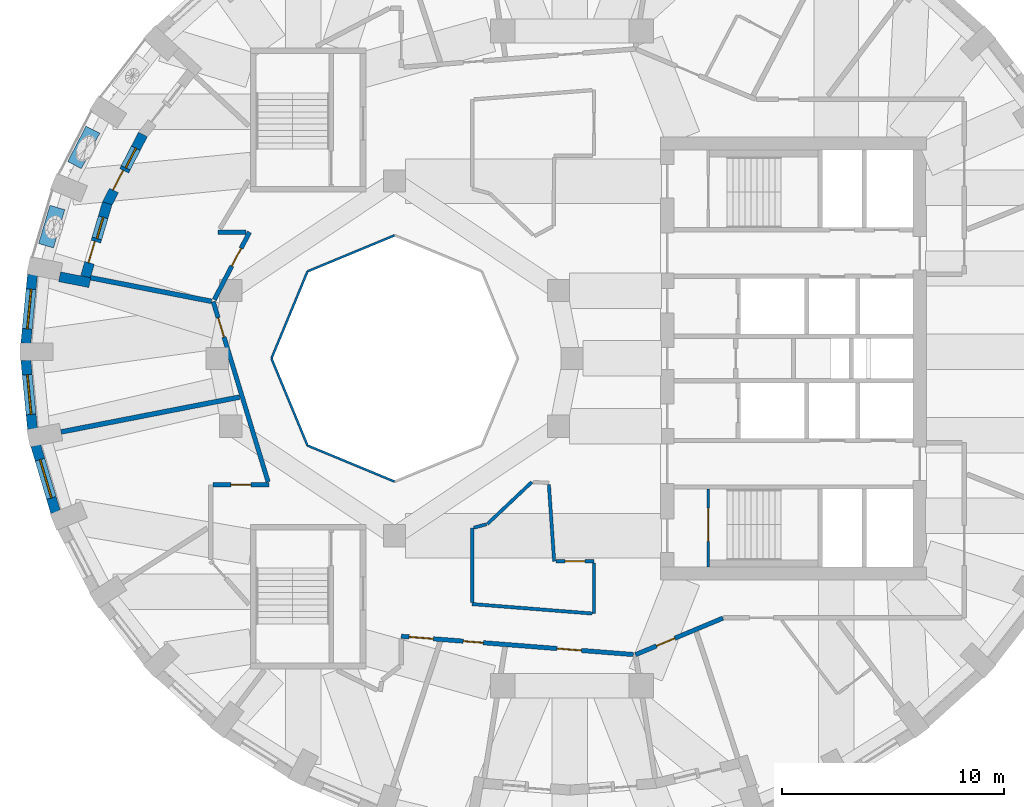
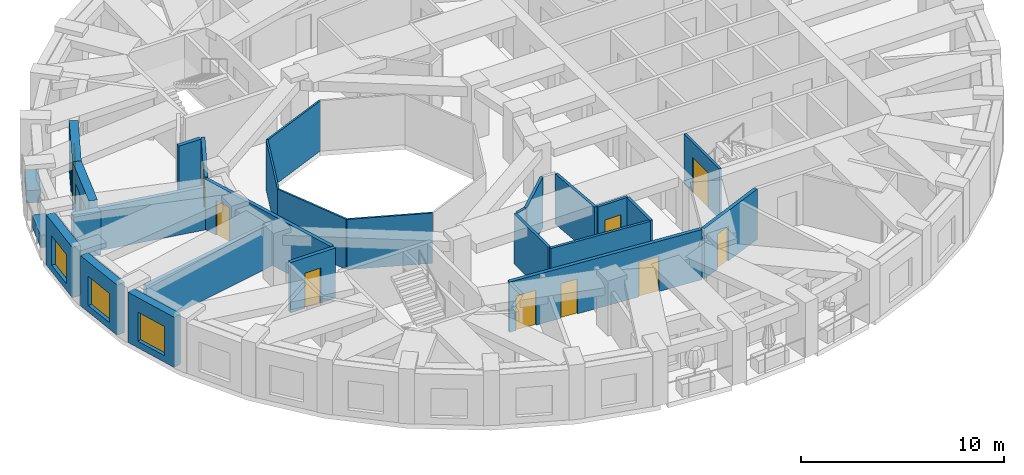
# One storey, part 4 of 12: 28 walls, 11 doors, 5 windows, 16 openings.
"""IFC4 building model written with IfcOpenShell, lengths in metres."""

from ifc_helpers import new_model, si_unit, direction, frame, frame_2d, origin, place, context, subcontext, project, spatial, rectangle, extrude, material, layer, layer_set, constituent, constituent_set, type_object, element, fill, save


model = new_model("IFC4")

# Units and contexts
model_context = context("Model", 3, precision=1e-05, world=origin(), true_north=direction((0.0, 1.0)))
body_context = subcontext(model_context, "Body", "Model", "MODEL_VIEW")
ifc_project = project(units=[si_unit("LENGTHUNIT", "METRE"), si_unit("AREAUNIT", "SQUARE_METRE"), si_unit("VOLUMEUNIT", "CUBIC_METRE"), si_unit("PLANEANGLEUNIT", "RADIAN"), si_unit("MASSUNIT", "GRAM", prefix="KILO")], contexts=[model_context])

# Site, building, storey
site_placement = place(None, origin())
site = spatial("IfcSite", under=ifc_project, at=site_placement, CompositionType="ELEMENT")
building_placement = place(site_placement, origin())
building = spatial("IfcBuilding", under=site, at=building_placement, Name="Taillehof Tower", CompositionType="ELEMENT")
storey_placement = place(building_placement, frame((0.0, 0.0, 243.199951171875)))
storey = spatial("IfcBuildingStorey", under=building, at=storey_placement, Name="L69", CompositionType="ELEMENT", Elevation=243.199951171875)

# Walls
ifc_material_1 = material(Name="Fire-resisting glass in steel frame", Category="steel")
ifc_layer_1 = layer(ifc_material_1, 0.10009765625)
ifc_layer_set_1 = layer_set([ifc_layer_1], Name="Atrium fire-resisting screen EI 60 100")
wall_type_1 = type_object("IfcWallType", Name="Atrium fire-resisting screen EI 60 100", PredefinedType="PARTITIONING", material=ifc_layer_set_1)
for number, where, z_axis, x_axis, name in (
    (1, (-8.0, -5.55419921875, 0.0), (0.0, 0.0, 1.0), (-0.923860025149, 0.382730523909, 0.0), "Atrium screen"),
    (2, (-11.92724609375, -3.92724609375, 0.0), (0.0, 0.0, 1.0), (-0.382730523909, 0.923860025149, 0.0), "Atrium screen"),
    (3, (-13.55419921875, 0.0, 0.0), (0.0, 0.0, 1.0), (0.382730523909, 0.923860025149, 0.0), "Atrium screen"),
    (4, (-11.92724609375, 3.92724609375, 0.0), (0.0, 0.0, 1.0), (0.923860025149, 0.382730523909, 0.0), "Atrium screen"),
):
    element("IfcWall", number, at=place(storey_placement, frame(where, z_axis=z_axis, x_axis=x_axis)), inside=storey, type_object=wall_type_1, Name=name, PredefinedType="PARTITIONING", context=body_context, shape_type="SweptSolid", body=[
        extrude(rectangle(XDim=4.2509765625, YDim=0.10009765625, at=frame_2d((2.12548828125, 0.0))), origin(), (0.0, 0.0, 1.0), 3.02001953125),
    ])

# Wall, opening, window
ifc_material_2 = material(Name="Brick masonry", Category="masonry")
ifc_layer_2 = layer(ifc_material_2, 0.449951171875)
ifc_layer_set_2 = layer_set([ifc_layer_2], Name="Brick infill wall 450")
wall_type_2 = type_object("IfcWallType", Name="Brick infill wall 450", PredefinedType="SOLIDWALL", material=ifc_layer_set_2)
wall_1_placement = place(storey_placement, frame((-24.335693359375, 3.77978515625, 0.0), z_axis=(0.0, 0.0, 1.0), x_axis=(-0.096740086873, -0.995309678237, 0.0)))
wall_1 = element("IfcWall", 5, at=wall_1_placement, inside=storey, type_object=wall_type_2, Name="Brick wall L69 bay 18", PredefinedType="SOLIDWALL", context=body_context, shape_type="SweptSolid", body=[
    extrude(rectangle(XDim=3.1142578125, YDim=0.449951171875, at=frame_2d((1.55712890625, 0.0))), origin(), (0.0, 0.0, 1.0), 3.02001953125),
])
opening_1_placement = place(wall_1_placement, frame((0.6572265625, 0.0, 0.39990234375)))
opening_1 = element("IfcOpeningElement", 6, at=opening_1_placement, cuts=wall_1, Name="Opening W4", PredefinedType="OPENING", context=body_context, shape_type="SweptSolid", body=[
    extrude(rectangle(XDim=1.800048828125, YDim=1.75, at=frame_2d((0.89990234375, 0.875))), frame((0.0, 0.23486328125, 0.0), z_axis=(0.0, -1.0, 0.0), x_axis=(1.0, 0.0, 0.0)), (0.0, 0.0, 1.0), 0.469970703125),
])
ifc_material_3 = material(Name="Aluminium window frame with clear double glazing", Category="aluminium")
window_type_1 = type_object("IfcWindowType", Name="Deep-set window 1800x1750", PartitioningType="SINGLE_PANEL", PredefinedType="WINDOW", material=ifc_material_3)
window_1_placement = place(opening_1_placement, origin())
window_1 = element("IfcWindow", 7, at=window_1_placement, inside=storey, type_object=window_type_1, Name="W4", OverallHeight=1.75, OverallWidth=1.800048828125, PartitioningType="SINGLE_PANEL", PredefinedType="WINDOW", context=body_context, shape_type="SweptSolid", body=[
    extrude(rectangle(XDim=1.800048828125, YDim=1.75, at=frame_2d((0.89990234375, 0.875))), frame((0.0, 0.034912109375, 0.0), z_axis=(0.0, -1.0, 0.0), x_axis=(1.0, 0.0, 0.0)), (0.0, 0.0, 1.0), 0.06005859375),
])
fill(opening_1, window_1)

wall_2_placement = place(storey_placement, frame((-24.636962890625, -0.080078125, 0.0), z_axis=(0.0, 0.0, 1.0), x_axis=(0.09673253904, -0.995310411827, 0.0)))
wall_2 = element("IfcWall", 8, at=wall_2_placement, inside=storey, type_object=wall_type_2, Name="Brick wall L69 bay 19", PredefinedType="SOLIDWALL", context=body_context, shape_type="SweptSolid", body=[
    extrude(rectangle(XDim=3.114501953125, YDim=0.449951171875, at=frame_2d((1.55712890625, 0.0))), origin(), (0.0, 0.0, 1.0), 3.02001953125),
])
opening_2_placement = place(wall_2_placement, frame((0.6572265625, 0.0, 0.39990234375)))
opening_2 = element("IfcOpeningElement", 9, at=opening_2_placement, cuts=wall_2, Name="Opening W4", PredefinedType="OPENING", context=body_context, shape_type="SweptSolid", body=[
    extrude(rectangle(XDim=1.800048828125, YDim=1.75, at=frame_2d((0.89990234375, 0.875))), frame((0.0, 0.23486328125, 0.0), z_axis=(0.0, -1.0, 0.0), x_axis=(1.0, 0.0, 0.0)), (0.0, 0.0, 1.0), 0.469970703125),
])
window_2_placement = place(opening_2_placement, origin())
window_2 = element("IfcWindow", 10, at=window_2_placement, inside=storey, type_object=window_type_1, Name="W4", OverallHeight=1.75, OverallWidth=1.800048828125, PartitioningType="SINGLE_PANEL", PredefinedType="WINDOW", context=body_context, shape_type="SweptSolid", body=[
    extrude(rectangle(XDim=1.800048828125, YDim=1.75, at=frame_2d((0.89990234375, 0.875))), frame((0.0, 0.034912109375, 0.0), z_axis=(0.0, -1.0, 0.0), x_axis=(1.0, 0.0, 0.0)), (0.0, 0.0, 1.0), 0.06005859375),
])
fill(opening_2, window_2)

wall_3_placement = place(storey_placement, frame((-24.18994140625, -3.92578125, 0.0), z_axis=(0.0, 0.0, 1.0), x_axis=(0.285263800865, -0.958449040855, 0.0)))
wall_3 = element("IfcWall", 11, at=wall_3_placement, inside=storey, type_object=wall_type_2, Name="Brick wall L69 bay 20", PredefinedType="SOLIDWALL", context=body_context, shape_type="SweptSolid", body=[
    extrude(rectangle(XDim=3.13916015625, YDim=0.449951171875, at=frame_2d((1.569580078125, 0.0))), origin(), (0.0, 0.0, 1.0), 3.02001953125),
])
opening_3_placement = place(wall_3_placement, frame((0.669677734375, 0.0, 0.39990234375)))
opening_3 = element("IfcOpeningElement", 12, at=opening_3_placement, cuts=wall_3, Name="Opening W4", PredefinedType="OPENING", context=body_context, shape_type="SweptSolid", body=[
    extrude(rectangle(XDim=1.800048828125, YDim=1.75, at=frame_2d((0.89990234375, 0.875))), frame((0.0, 0.23486328125, 0.0), z_axis=(0.0, -1.0, 0.0), x_axis=(1.0, 0.0, 0.0)), (0.0, 0.0, 1.0), 0.469970703125),
])
window_3_placement = place(opening_3_placement, origin())
window_3 = element("IfcWindow", 13, at=window_3_placement, inside=storey, type_object=window_type_1, Name="W4", OverallHeight=1.75, OverallWidth=1.800048828125, PartitioningType="SINGLE_PANEL", PredefinedType="WINDOW", context=body_context, shape_type="SweptSolid", body=[
    extrude(rectangle(XDim=1.800048828125, YDim=1.75, at=frame_2d((0.89990234375, 0.875))), frame((0.0, 0.034912109375, 0.0), z_axis=(0.0, -1.0, 0.0), x_axis=(1.0, 0.0, 0.0)), (0.0, 0.0, 1.0), 0.06005859375),
])
fill(opening_3, window_3)

# Wall
wall_4_placement = place(storey_placement, frame((-23.11376953125, 3.685302734375, 0.0), z_axis=(0.0, 0.0, 1.0), x_axis=(0.981468844755, -0.191621780535, 0.0)))
element("IfcWall", 14, at=wall_4_placement, inside=storey, type_object=wall_type_2, Name="Brick reveal L69 pocket 4", PredefinedType="SOLIDWALL", context=body_context, shape_type="SweptSolid", body=[
    extrude(rectangle(XDim=1.39013671875, YDim=0.449951171875, at=frame_2d((0.695068359375, 0.0))), origin(), (0.0, 0.0, 1.0), 2.570068359375),
])

# Wall, openings, door, window
wall_5_placement = place(storey_placement, frame((-19.355224609375, 10.104248046875, 0.0), z_axis=(0.0, 0.0, 1.0), x_axis=(-0.458852093952, -0.888512665006, 0.0)))
wall_5 = element("IfcWall", 15, at=wall_5_placement, inside=storey, type_object=wall_type_2, Name="Brick wall L69 pocket bay 16", PredefinedType="SOLIDWALL", context=body_context, shape_type="SweptSolid", body=[
    extrude(rectangle(XDim=3.537841796875, YDim=0.449951171875, at=frame_2d((1.76904296875, 0.0))), origin(), (0.0, 0.0, 1.0), 3.02001953125),
])
opening_4_placement = place(wall_5_placement, frame((0.69384765625, 0.0, 0.39990234375)))
opening_4 = element("IfcOpeningElement", 16, at=opening_4_placement, cuts=wall_5, Name="Opening W5", PredefinedType="OPENING", context=body_context, shape_type="SweptSolid", body=[
    extrude(rectangle(XDim=1.0, YDim=1.75, at=frame_2d((0.5, 0.875))), frame((0.0, 0.23486328125, 0.0), z_axis=(0.0, -1.0, 0.0), x_axis=(1.0, 0.0, 0.0)), (0.0, 0.0, 1.0), 0.469970703125),
])
opening_5_placement = place(wall_5_placement, frame((1.84375, 0.0, 0.0)))
opening_5 = element("IfcOpeningElement", 17, at=opening_5_placement, cuts=wall_5, Name="Opening D6995", PredefinedType="OPENING", context=body_context, shape_type="SweptSolid", body=[
    extrude(rectangle(XDim=1.0, YDim=2.14990234375, at=frame_2d((0.5, 1.074951171875))), frame((0.0, 0.23486328125, 0.0), z_axis=(0.0, -1.0, 0.0), x_axis=(1.0, 0.0, 0.0)), (0.0, 0.0, 1.0), 0.469970703125),
])
ifc_material_4 = material(Name="Aluminium door frame with clear double glazing", Category="aluminium")
door_type_1 = type_object("IfcDoorType", Name="Balcony door 1000x2150", OperationType="SINGLE_SWING_RIGHT", PredefinedType="DOOR", material=ifc_material_4)
door_1_placement = place(opening_5_placement, frame((1.0, 0.0, 0.0), z_axis=(0.0, 0.0, 1.0), x_axis=(-1.0, 0.0, 0.0)))
door_1 = element("IfcDoor", 18, at=door_1_placement, inside=storey, type_object=door_type_1, Name="Balcony door L69 bay 16", OperationType="SINGLE_SWING_LEFT", OverallHeight=2.14990234375, OverallWidth=1.0, PredefinedType="DOOR", context=body_context, shape_type="SweptSolid", body=[
    extrude(rectangle(XDim=1.0, YDim=2.14990234375, at=frame_2d((0.5, 1.074951171875))), frame((0.0, 0.0751953125, 0.0), z_axis=(0.0, -1.0, 0.0), x_axis=(1.0, 0.0, 0.0)), (0.0, 0.0, 1.0), 0.050048828125),
])
fill(opening_5, door_1)
ifc_material_5 = material(Name="Aluminium window frame with clear double glazing", Category="aluminium")
window_type_2 = type_object("IfcWindowType", Name="Fixed window 1000x1750", PartitioningType="SINGLE_PANEL", PredefinedType="WINDOW", material=ifc_material_5)
window_4_placement = place(opening_4_placement, origin())
window_4 = element("IfcWindow", 19, at=window_4_placement, inside=storey, type_object=window_type_2, Name="W5", OverallHeight=1.75, OverallWidth=1.0, PartitioningType="SINGLE_PANEL", PredefinedType="WINDOW", context=body_context, shape_type="SweptSolid", body=[
    extrude(rectangle(XDim=1.0, YDim=1.75, at=frame_2d((0.5, 0.875))), frame((0.0, 0.034912109375, 0.0), z_axis=(0.0, -1.0, 0.0), x_axis=(1.0, 0.0, 0.0)), (0.0, 0.0, 1.0), 0.06005859375),
])
fill(opening_4, window_4)

wall_6_placement = place(storey_placement, frame((-20.962646484375, 7.000244140625, 0.0), z_axis=(0.0, 0.0, 1.0), x_axis=(-0.284437019833, -0.958694728132, 0.0)))
wall_6 = element("IfcWall", 20, at=wall_6_placement, inside=storey, type_object=wall_type_2, Name="Brick wall L69 pocket bay 17", PredefinedType="SOLIDWALL", context=body_context, shape_type="SweptSolid", body=[
    extrude(rectangle(XDim=3.45654296875, YDim=0.449951171875, at=frame_2d((1.728271484375, 0.0))), origin(), (0.0, 0.0, 1.0), 3.02001953125),
])
opening_6_placement = place(wall_6_placement, frame((0.6533203125, 0.0, 0.39990234375)))
opening_6 = element("IfcOpeningElement", 21, at=opening_6_placement, cuts=wall_6, Name="Opening W5", PredefinedType="OPENING", context=body_context, shape_type="SweptSolid", body=[
    extrude(rectangle(XDim=1.0, YDim=1.75, at=frame_2d((0.5, 0.875))), frame((0.0, 0.23486328125, 0.0), z_axis=(0.0, -1.0, 0.0), x_axis=(1.0, 0.0, 0.0)), (0.0, 0.0, 1.0), 0.469970703125),
])
opening_7_placement = place(wall_6_placement, frame((1.80322265625, 0.0, 0.0)))
opening_7 = element("IfcOpeningElement", 22, at=opening_7_placement, cuts=wall_6, Name="Opening D6996", PredefinedType="OPENING", context=body_context, shape_type="SweptSolid", body=[
    extrude(rectangle(XDim=1.0, YDim=2.14990234375, at=frame_2d((0.5, 1.074951171875))), frame((0.0, 0.23486328125, 0.0), z_axis=(0.0, -1.0, 0.0), x_axis=(1.0, 0.0, 0.0)), (0.0, 0.0, 1.0), 0.469970703125),
])
door_2_placement = place(opening_7_placement, frame((1.0, 0.0, 0.0), z_axis=(0.0, 0.0, 1.0), x_axis=(-1.0, 0.0, 0.0)))
door_2 = element("IfcDoor", 23, at=door_2_placement, inside=storey, type_object=door_type_1, Name="Balcony door L69 bay 17", OperationType="SINGLE_SWING_LEFT", OverallHeight=2.14990234375, OverallWidth=1.0, PredefinedType="DOOR", context=body_context, shape_type="SweptSolid", body=[
    extrude(rectangle(XDim=1.0, YDim=2.14990234375, at=frame_2d((0.5, 1.074951171875))), frame((0.0, 0.0751953125, 0.0), z_axis=(0.0, -1.0, 0.0), x_axis=(1.0, 0.0, 0.0)), (0.0, 0.0, 1.0), 0.050048828125),
])
fill(opening_7, door_2)
window_5_placement = place(opening_6_placement, origin())
window_5 = element("IfcWindow", 24, at=window_5_placement, inside=storey, type_object=window_type_2, Name="W5", OverallHeight=1.75, OverallWidth=1.0, PartitioningType="SINGLE_PANEL", PredefinedType="WINDOW", context=body_context, shape_type="SweptSolid", body=[
    extrude(rectangle(XDim=1.0, YDim=1.75, at=frame_2d((0.5, 0.875))), frame((0.0, 0.034912109375, 0.0), z_axis=(0.0, -1.0, 0.0), x_axis=(1.0, 0.0, 0.0)), (0.0, 0.0, 1.0), 0.06005859375),
])
fill(opening_6, window_5)

# Wall, opening, door
ifc_material_6 = material(Name="Gypsum board on steel studs, two layers each side", Category="steel")
ifc_layer_3 = layer(ifc_material_6, 0.199951171875)
ifc_layer_set_3 = layer_set([ifc_layer_3], Name="Compartment wall corridor 200")
wall_type_3 = type_object("IfcWallType", Name="Compartment wall corridor 200", PredefinedType="PARTITIONING", material=ifc_layer_set_3)
wall_7_placement = place(storey_placement, frame((6.811767578125, -11.715576171875, 0.0), z_axis=(0.0, 0.0, 1.0), x_axis=(-0.922465594323, -0.386079301817, 0.0)))
wall_7 = element("IfcWall", 25, at=wall_7_placement, inside=storey, type_object=wall_type_3, Name="Compartment wall", PredefinedType="PARTITIONING", context=body_context, shape_type="SweptSolid", body=[
    extrude(rectangle(XDim=4.2734375, YDim=0.199951171875, at=frame_2d((2.13671875, 0.0))), origin(), (0.0, 0.0, 1.0), 3.02001953125),
])
opening_8_placement = place(wall_7_placement, frame((2.3486328125, 0.0, 0.0)))
opening_8 = element("IfcOpeningElement", 26, at=opening_8_placement, cuts=wall_7, Name="Opening D6953", PredefinedType="OPENING", context=body_context, shape_type="SweptSolid", body=[
    extrude(rectangle(XDim=0.89990234375, YDim=2.10009765625, at=frame_2d((0.449951171875, 1.050048828125))), frame((0.0, 0.10986328125, 0.0), z_axis=(0.0, -1.0, 0.0), x_axis=(1.0, 0.0, 0.0)), (0.0, 0.0, 1.0), 0.219970703125),
])
ifc_material_7 = material(Name="Timber door leaf in steel frame", Category="steel")
door_type_2 = type_object("IfcDoorType", Name="Service room door EI 30 900 x 2100", OperationType="SINGLE_SWING_LEFT", PredefinedType="DOOR", material=ifc_material_7)
door_3_placement = place(opening_8_placement, origin())
door_3 = element("IfcDoor", 27, at=door_3_placement, inside=storey, type_object=door_type_2, Name="D6953", OperationType="SINGLE_SWING_RIGHT", OverallHeight=2.10009765625, OverallWidth=0.89990234375, PredefinedType="DOOR", context=body_context, shape_type="SweptSolid", body=[
    extrude(rectangle(XDim=0.89990234375, YDim=2.10009765625, at=frame_2d((0.449951171875, 1.050048828125))), frame((0.0, 0.02490234375, 0.0), z_axis=(0.0, -1.0, 0.0), x_axis=(1.0, 0.0, 0.0)), (0.0, 0.0, 1.0), 0.050048828125),
])
fill(opening_8, door_3)

# Wall, openings, doors
wall_8_placement = place(storey_placement, frame((2.76953125, -13.358154296875, 0.0), z_axis=(0.0, 0.0, 1.0), x_axis=(-0.996922723337, 0.07839058422, 0.0)))
wall_8 = element("IfcWall", 28, at=wall_8_placement, inside=storey, type_object=wall_type_3, Name="Compartment wall", PredefinedType="PARTITIONING", context=body_context, shape_type="SweptSolid", body=[
    extrude(rectangle(XDim=10.501708984375, YDim=0.199951171875, at=frame_2d((5.2509765625, 0.0))), origin(), (0.0, 0.0, 1.0), 3.02001953125),
])
opening_9_placement = place(wall_8_placement, frame((9.045654296875, 0.0, 0.0)))
opening_9 = element("IfcOpeningElement", 29, at=opening_9_placement, cuts=wall_8, Name="Opening D6950", PredefinedType="OPENING", context=body_context, shape_type="SweptSolid", body=[
    extrude(rectangle(XDim=1.10009765625, YDim=2.10009765625, at=frame_2d((0.550048828125, 1.050048828125))), frame((0.0, 0.10986328125, 0.0), z_axis=(0.0, -1.0, 0.0), x_axis=(1.0, 0.0, 0.0)), (0.0, 0.0, 1.0), 0.219970703125),
])
opening_10_placement = place(wall_8_placement, frame((6.791748046875, 0.0, 0.0)))
opening_10 = element("IfcOpeningElement", 30, at=opening_10_placement, cuts=wall_8, Name="Opening D6951", PredefinedType="OPENING", context=body_context, shape_type="SweptSolid", body=[
    extrude(rectangle(XDim=0.89990234375, YDim=2.10009765625, at=frame_2d((0.449951171875, 1.050048828125))), frame((0.0, 0.10986328125, 0.0), z_axis=(0.0, -1.0, 0.0), x_axis=(1.0, 0.0, 0.0)), (0.0, 0.0, 1.0), 0.219970703125),
])
opening_11_placement = place(wall_8_placement, frame((2.3466796875, 0.0, 0.0)))
opening_11 = element("IfcOpeningElement", 31, at=opening_11_placement, cuts=wall_8, Name="Opening D6952", PredefinedType="OPENING", context=body_context, shape_type="SweptSolid", body=[
    extrude(rectangle(XDim=1.10009765625, YDim=2.10009765625, at=frame_2d((0.550048828125, 1.050048828125))), frame((0.0, 0.10986328125, 0.0), z_axis=(0.0, -1.0, 0.0), x_axis=(1.0, 0.0, 0.0)), (0.0, 0.0, 1.0), 0.219970703125),
])
door_4_placement = place(opening_10_placement, origin())
door_4 = element("IfcDoor", 32, at=door_4_placement, inside=storey, type_object=door_type_2, Name="D6951", OperationType="SINGLE_SWING_RIGHT", OverallHeight=2.10009765625, OverallWidth=0.89990234375, PredefinedType="DOOR", context=body_context, shape_type="SweptSolid", body=[
    extrude(rectangle(XDim=0.89990234375, YDim=2.10009765625, at=frame_2d((0.449951171875, 1.050048828125))), frame((0.0, 0.02490234375, 0.0), z_axis=(0.0, -1.0, 0.0), x_axis=(1.0, 0.0, 0.0)), (0.0, 0.0, 1.0), 0.050048828125),
])
fill(opening_10, door_4)
ifc_material_8 = material(Name="Timber door leaf in steel frame", Category="steel")
door_type_3 = type_object("IfcDoorType", Name="Suite entrance door EI 30 1100 x 2100", OperationType="SINGLE_SWING_LEFT", PredefinedType="DOOR", material=ifc_material_8)
door_5_placement = place(opening_9_placement, origin())
door_5 = element("IfcDoor", 33, at=door_5_placement, inside=storey, type_object=door_type_3, Name="D6950", OperationType="SINGLE_SWING_LEFT", OverallHeight=2.10009765625, OverallWidth=1.10009765625, PredefinedType="DOOR", context=body_context, shape_type="SweptSolid", body=[
    extrude(rectangle(XDim=1.10009765625, YDim=2.10009765625, at=frame_2d((0.550048828125, 1.050048828125))), frame((0.0, 0.02490234375, 0.0), z_axis=(0.0, -1.0, 0.0), x_axis=(1.0, 0.0, 0.0)), (0.0, 0.0, 1.0), 0.050048828125),
])
fill(opening_9, door_5)
door_6_placement = place(opening_11_placement, origin())
door_6 = element("IfcDoor", 34, at=door_6_placement, inside=storey, type_object=door_type_3, Name="D6952", OperationType="SINGLE_SWING_RIGHT", OverallHeight=2.10009765625, OverallWidth=1.10009765625, PredefinedType="DOOR", context=body_context, shape_type="SweptSolid", body=[
    extrude(rectangle(XDim=1.10009765625, YDim=2.10009765625, at=frame_2d((0.550048828125, 1.050048828125))), frame((0.0, 0.02490234375, 0.0), z_axis=(0.0, -1.0, 0.0), x_axis=(1.0, 0.0, 0.0)), (0.0, 0.0, 1.0), 0.050048828125),
])
fill(opening_11, door_6)

# Wall, opening, door
wall_9_placement = place(storey_placement, frame((-16.199951171875, -5.699951171875, 0.0), z_axis=(0.0, 0.0, 1.0), x_axis=(1.0, 0.0, 0.0)))
wall_9 = element("IfcWall", 35, at=wall_9_placement, inside=storey, type_object=wall_type_3, Name="Compartment wall", PredefinedType="PARTITIONING", context=body_context, shape_type="SweptSolid", body=[
    extrude(rectangle(XDim=2.533935546875, YDim=0.199951171875, at=frame_2d((1.26708984375, 0.0))), origin(), (0.0, 0.0, 1.0), 3.02001953125),
])
opening_12_placement = place(wall_9_placement, frame((0.81689453125, 0.0, 0.0)))
opening_12 = element("IfcOpeningElement", 36, at=opening_12_placement, cuts=wall_9, Name="Opening D6948", PredefinedType="OPENING", context=body_context, shape_type="SweptSolid", body=[
    extrude(rectangle(XDim=0.89990234375, YDim=2.10009765625, at=frame_2d((0.449951171875, 1.050048828125))), frame((0.0, 0.10986328125, 0.0), z_axis=(0.0, -1.0, 0.0), x_axis=(1.0, 0.0, 0.0)), (0.0, 0.0, 1.0), 0.219970703125),
])
door_7_placement = place(opening_12_placement, origin())
door_7 = element("IfcDoor", 37, at=door_7_placement, inside=storey, type_object=door_type_2, Name="D6948", OperationType="SINGLE_SWING_RIGHT", OverallHeight=2.10009765625, OverallWidth=0.89990234375, PredefinedType="DOOR", context=body_context, shape_type="SweptSolid", body=[
    extrude(rectangle(XDim=0.89990234375, YDim=2.10009765625, at=frame_2d((0.449951171875, 1.050048828125))), frame((0.0, 0.02490234375, 0.0), z_axis=(0.0, -1.0, 0.0), x_axis=(1.0, 0.0, 0.0)), (0.0, 0.0, 1.0), 0.050048828125),
])
fill(opening_12, door_7)

wall_10_placement = place(storey_placement, frame((-13.70703125, -5.566650390625, 0.0), z_axis=(0.0, 0.0, 1.0), x_axis=(-0.29116047228, 0.956674228451, 0.0)))
wall_10 = element("IfcWall", 38, at=wall_10_placement, inside=storey, type_object=wall_type_3, Name="Compartment wall", PredefinedType="PARTITIONING", context=body_context, shape_type="SweptSolid", body=[
    extrude(rectangle(XDim=8.495849609375, YDim=0.199951171875, at=frame_2d((4.248046875, 0.0))), origin(), (0.0, 0.0, 1.0), 3.02001953125),
])
opening_13_placement = place(wall_10_placement, frame((6.8359375, 0.0, 0.0)))
opening_13 = element("IfcOpeningElement", 39, at=opening_13_placement, cuts=wall_10, Name="Opening D6947", PredefinedType="OPENING", context=body_context, shape_type="SweptSolid", body=[
    extrude(rectangle(XDim=0.89990234375, YDim=2.10009765625, at=frame_2d((0.449951171875, 1.050048828125))), frame((0.0, 0.10986328125, 0.0), z_axis=(0.0, -1.0, 0.0), x_axis=(1.0, 0.0, 0.0)), (0.0, 0.0, 1.0), 0.219970703125),
])
door_8_placement = place(opening_13_placement, origin())
door_8 = element("IfcDoor", 40, at=door_8_placement, inside=storey, type_object=door_type_2, Name="D6947", OperationType="SINGLE_SWING_RIGHT", OverallHeight=2.10009765625, OverallWidth=0.89990234375, PredefinedType="DOOR", context=body_context, shape_type="SweptSolid", body=[
    extrude(rectangle(XDim=0.89990234375, YDim=2.10009765625, at=frame_2d((0.449951171875, 1.050048828125))), frame((0.0, 0.02490234375, 0.0), z_axis=(0.0, -1.0, 0.0), x_axis=(1.0, 0.0, 0.0)), (0.0, 0.0, 1.0), 0.050048828125),
])
fill(opening_13, door_8)

wall_11_placement = place(storey_placement, frame((-16.13427734375, 2.650146484375, 0.0), z_axis=(0.0, 0.0, 1.0), x_axis=(0.462143812638, 0.886804993468, 0.0)))
wall_11 = element("IfcWall", 41, at=wall_11_placement, inside=storey, type_object=wall_type_3, Name="Compartment wall", PredefinedType="PARTITIONING", context=body_context, shape_type="SweptSolid", body=[
    extrude(rectangle(XDim=3.439208984375, YDim=0.199951171875, at=frame_2d((1.7197265625, 0.0))), origin(), (0.0, 0.0, 1.0), 3.02001953125),
])
opening_14_placement = place(wall_11_placement, frame((1.7158203125, 0.0, 0.0)))
opening_14 = element("IfcOpeningElement", 42, at=opening_14_placement, cuts=wall_11, Name="Opening D6946", PredefinedType="OPENING", context=body_context, shape_type="SweptSolid", body=[
    extrude(rectangle(XDim=0.89990234375, YDim=2.10009765625, at=frame_2d((0.449951171875, 1.050048828125))), frame((0.0, 0.10986328125, 0.0), z_axis=(0.0, -1.0, 0.0), x_axis=(1.0, 0.0, 0.0)), (0.0, 0.0, 1.0), 0.219970703125),
])
door_9_placement = place(opening_14_placement, origin())
door_9 = element("IfcDoor", 43, at=door_9_placement, inside=storey, type_object=door_type_2, Name="D6946", OperationType="SINGLE_SWING_RIGHT", OverallHeight=2.10009765625, OverallWidth=0.89990234375, PredefinedType="DOOR", context=body_context, shape_type="SweptSolid", body=[
    extrude(rectangle(XDim=0.89990234375, YDim=2.10009765625, at=frame_2d((0.449951171875, 1.050048828125))), frame((0.0, 0.02490234375, 0.0), z_axis=(0.0, -1.0, 0.0), x_axis=(1.0, 0.0, 0.0)), (0.0, 0.0, 1.0), 0.050048828125),
])
fill(opening_14, door_9)

# Walls
wall_12_placement = place(storey_placement, frame((-14.705078125, 5.699951171875, 0.0), z_axis=(0.0, 0.0, 1.0), x_axis=(-1.0, 0.0, 0.0)))
element("IfcWall", 44, at=wall_12_placement, inside=storey, type_object=wall_type_3, Name="Compartment wall", PredefinedType="PARTITIONING", context=body_context, shape_type="SweptSolid", body=[
    extrude(rectangle(XDim=1.26904296875, YDim=0.199951171875, at=frame_2d((0.634521484375, 0.0))), origin(), (0.0, 0.0, 1.0), 3.02001953125),
])
ifc_material_9 = material(Name="Gypsum board on double steel studs with mineral wool", Category="steel")
ifc_layer_4 = layer(ifc_material_9, 0.219970703125)
ifc_layer_set_4 = layer_set([ifc_layer_4], Name="Compartment wall guest room 220")
wall_type_4 = type_object("IfcWallType", Name="Compartment wall guest room 220", PredefinedType="PARTITIONING", material=ifc_layer_set_4)
wall_13_placement = place(storey_placement, frame((-21.72412109375, 3.643310546875, 0.0), z_axis=(0.0, 0.0, 1.0), x_axis=(0.981482350032, -0.191552594804, 0.0)))
element("IfcWall", 45, at=wall_13_placement, inside=storey, type_object=wall_type_4, Name="Compartment wall", PredefinedType="PARTITIONING", context=body_context, shape_type="SweptSolid", body=[
    extrude(rectangle(XDim=5.568359375, YDim=0.219970703125, at=frame_2d((2.7841796875, 0.0))), origin(), (0.0, 0.0, 1.0), 2.570068359375),
])
wall_14_placement = place(storey_placement, frame((-23.048583984375, -3.315673828125, 0.0), z_axis=(0.0, 0.0, 1.0), x_axis=(0.981479950205, 0.19156489069, 0.0)))
element("IfcWall", 46, at=wall_14_placement, inside=storey, type_object=wall_type_4, Name="Compartment wall", PredefinedType="PARTITIONING", context=body_context, shape_type="SweptSolid", body=[
    extrude(rectangle(XDim=8.204833984375, YDim=0.219970703125, at=frame_2d((4.1025390625, 0.0))), origin(), (0.0, 0.0, 1.0), 2.570068359375),
])
ifc_material_10 = material(Name="Gypsum board on steel studs, two layers each side", Category="steel")
ifc_layer_5 = layer(ifc_material_10, 0.14990234375)
ifc_layer_set_5 = layer_set([ifc_layer_5], Name="Compartment wall service room 150")
wall_type_5 = type_object("IfcWallType", Name="Compartment wall service room 150", PredefinedType="PARTITIONING", material=ifc_layer_set_5)
wall_15_placement = place(storey_placement, frame((-3.817138671875, -7.471923828125, 0.0), z_axis=(0.0, 0.0, 1.0), x_axis=(0.727554143834, 0.686050266227, 0.0)))
element("IfcWall", 47, at=wall_15_placement, inside=storey, type_object=wall_type_5, Name="Compartment wall", PredefinedType="PARTITIONING", context=body_context, shape_type="SweptSolid", body=[
    extrude(rectangle(XDim=2.7646484375, YDim=0.14990234375, at=frame_2d((1.38232421875, 0.0))), origin(), (0.0, 0.0, 1.0), 3.02001953125),
])
wall_16_placement = place(storey_placement, frame((-1.0380859375, -5.692626953125, 0.0), z_axis=(0.0, 0.0, 1.0), x_axis=(0.068688454557, -0.997638158959, 0.0)))
element("IfcWall", 48, at=wall_16_placement, inside=storey, type_object=wall_type_5, Name="Compartment wall", PredefinedType="PARTITIONING", context=body_context, shape_type="SweptSolid", body=[
    extrude(rectangle(XDim=3.465576171875, YDim=0.14990234375, at=frame_2d((1.73291015625, 0.0))), origin(), (0.0, 0.0, 1.0), 3.02001953125),
])

# Wall, opening, door
wall_17_placement = place(storey_placement, frame((-0.719970703125, -9.14990234375, 0.0), z_axis=(0.0, 0.0, 1.0), x_axis=(1.0, 0.0, 0.0)))
wall_17 = element("IfcWall", 49, at=wall_17_placement, inside=storey, type_object=wall_type_5, Name="Compartment wall", PredefinedType="PARTITIONING", context=body_context, shape_type="SweptSolid", body=[
    extrude(rectangle(XDim=1.719970703125, YDim=0.14990234375, at=frame_2d((0.85986328125, 0.0))), origin(), (0.0, 0.0, 1.0), 3.02001953125),
])
opening_15_placement = place(wall_17_placement, frame((0.409912109375, 0.0, 0.0)))
opening_15 = element("IfcOpeningElement", 50, at=opening_15_placement, cuts=wall_17, Name="Opening D6960", PredefinedType="OPENING", context=body_context, shape_type="SweptSolid", body=[
    extrude(rectangle(XDim=0.89990234375, YDim=2.10009765625, at=frame_2d((0.449951171875, 1.050048828125))), frame((0.0, 0.0849609375, 0.0), z_axis=(0.0, -1.0, 0.0), x_axis=(1.0, 0.0, 0.0)), (0.0, 0.0, 1.0), 0.169921875),
])
door_10_placement = place(opening_15_placement, origin())
door_10 = element("IfcDoor", 51, at=door_10_placement, inside=storey, type_object=door_type_2, Name="D6960", OperationType="SINGLE_SWING_LEFT", OverallHeight=2.10009765625, OverallWidth=0.89990234375, PredefinedType="DOOR", context=body_context, shape_type="SweptSolid", body=[
    extrude(rectangle(XDim=0.89990234375, YDim=2.10009765625, at=frame_2d((0.449951171875, 1.050048828125))), frame((0.0, 0.02490234375, 0.0), z_axis=(0.0, -1.0, 0.0), x_axis=(1.0, 0.0, 0.0)), (0.0, 0.0, 1.0), 0.050048828125),
])
fill(opening_15, door_10)

# Walls
wall_18_placement = place(storey_placement, frame((1.0, -9.22998046875, 0.0), z_axis=(0.0, 0.0, 1.0), x_axis=(0.0, -1.0, 0.0)))
element("IfcWall", 52, at=wall_18_placement, inside=storey, type_object=wall_type_5, Name="Compartment wall", PredefinedType="PARTITIONING", context=body_context, shape_type="SweptSolid", body=[
    extrude(rectangle(XDim=2.283447265625, YDim=0.14990234375, at=frame_2d((1.1416015625, 0.0))), origin(), (0.0, 0.0, 1.0), 3.02001953125),
])
wall_19_placement = place(storey_placement, frame((0.919921875, -11.507568359375, 0.0), z_axis=(0.0, 0.0, 1.0), x_axis=(-0.996921469635, 0.078406526396, 0.0)))
element("IfcWall", 53, at=wall_19_placement, inside=storey, type_object=wall_type_5, Name="Compartment wall", PredefinedType="PARTITIONING", context=body_context, shape_type="SweptSolid", body=[
    extrude(rectangle(XDim=5.436767578125, YDim=0.14990234375, at=frame_2d((2.71826171875, 0.0))), origin(), (0.0, 0.0, 1.0), 3.02001953125),
])
wall_20_placement = place(storey_placement, frame((-4.5, -11.001220703125, 0.0), z_axis=(0.0, 0.0, 1.0), x_axis=(0.0, 1.0, 0.0)))
element("IfcWall", 54, at=wall_20_placement, inside=storey, type_object=wall_type_5, Name="Compartment wall", PredefinedType="PARTITIONING", context=body_context, shape_type="SweptSolid", body=[
    extrude(rectangle(XDim=3.34619140625, YDim=0.14990234375, at=frame_2d((1.673095703125, 0.0))), origin(), (0.0, 0.0, 1.0), 3.02001953125),
])
wall_21_placement = place(storey_placement, frame((-4.4228515625, -7.634521484375, 0.0), z_axis=(0.0, 0.0, 1.0), x_axis=(0.965764120494, 0.259421786994, 0.0)))
element("IfcWall", 55, at=wall_21_placement, inside=storey, type_object=wall_type_5, Name="Compartment wall", PredefinedType="PARTITIONING", context=body_context, shape_type="SweptSolid", body=[
    extrude(rectangle(XDim=0.587158203125, YDim=0.14990234375, at=frame_2d((0.29345703125, 0.0))), origin(), (0.0, 0.0, 1.0), 3.02001953125),
])
ifc_material_11 = material(Name="Concrete C30/37 precast", Category="concrete")
ifc_constituent_1 = constituent(ifc_material_11, Name="Structure", Category="concrete")
ifc_material_12 = material(Name="Insulated lining")
ifc_constituent_2 = constituent(ifc_material_12, Name="Lining")
ifc_constituent_set = constituent_set(constituents=[ifc_constituent_1, ifc_constituent_2], Name="Planter trough 700x750")
wall_type_6 = type_object("IfcWallType", Name="Planter trough 700x750", PredefinedType="USERDEFINED", material=ifc_constituent_set)
wall_22_placement = place(storey_placement, frame((-21.610595703125, 10.32177734375, 0.0), z_axis=(0.0, 0.0, 1.0), x_axis=(-0.459917269392, -0.887961770188, 0.0)))
element("IfcWall", 56, at=wall_22_placement, inside=storey, type_object=wall_type_6, Name="Planter L69 bay 16", ObjectType="PLANTER", PredefinedType="USERDEFINED", context=body_context, shape_type="SweptSolid", body=[
    extrude(rectangle(XDim=1.800048828125, YDim=0.699951171875, at=frame_2d((0.89990234375, 0.0))), origin(), (0.0, 0.0, 1.0), 0.75),
])
wall_23_placement = place(storey_placement, frame((-23.21240234375, 6.811279296875, 0.0), z_axis=(0.0, 0.0, 1.0), x_axis=(-0.28525656157, -0.958451195461, 0.0)))
element("IfcWall", 57, at=wall_23_placement, inside=storey, type_object=wall_type_6, Name="Planter L69 bay 17", ObjectType="PLANTER", PredefinedType="USERDEFINED", context=body_context, shape_type="SweptSolid", body=[
    extrude(rectangle(XDim=1.7998046875, YDim=0.699951171875, at=frame_2d((0.89990234375, 0.0))), origin(), (0.0, 0.0, 1.0), 0.75),
])

# Wall, opening, door
ifc_material_13 = material(Name="Concrete C50/60", Category="concrete")
ifc_layer_6 = layer(ifc_material_13, 0.1201171875)
ifc_layer_set_6 = layer_set([ifc_layer_6], Name="Stair lobby wall C50/60 120")
wall_type_7 = type_object("IfcWallType", Name="Stair lobby wall C50/60 120", PredefinedType="SHEAR", material=ifc_layer_set_6)
wall_24_placement = place(storey_placement, frame((6.159912109375, -9.39990234375, 0.0), z_axis=(0.0, 0.0, 1.0), x_axis=(0.0, 1.0, 0.0)))
wall_24 = element("IfcWall", 58, at=wall_24_placement, inside=storey, type_object=wall_type_7, Name="Compartment wall SW", PredefinedType="SHEAR", context=body_context, shape_type="SweptSolid", body=[
    extrude(rectangle(XDim=3.5, YDim=0.1201171875, at=frame_2d((1.75, 0.0))), origin(), (0.0, 0.0, 1.0), 3.02001953125),
])
opening_16_placement = place(wall_24_placement, frame((1.14990234375, 0.0, 0.0)))
opening_16 = element("IfcOpeningElement", 59, at=opening_16_placement, cuts=wall_24, Name="Opening D6911", PredefinedType="OPENING", context=body_context, shape_type="SweptSolid", body=[
    extrude(rectangle(XDim=1.5, YDim=2.10009765625, at=frame_2d((0.75, 1.050048828125))), frame((0.0, 0.070068359375, 0.0), z_axis=(0.0, -1.0, 0.0), x_axis=(1.0, 0.0, 0.0)), (0.0, 0.0, 1.0), 0.14013671875),
])
ifc_material_14 = material(Name="Steel-faced fire door", Category="steel")
door_type_4 = type_object("IfcDoorType", Name="Stair door 1500x2100", OperationType="DOUBLE_DOOR_SINGLE_SWING", PredefinedType="DOOR", material=ifc_material_14)
door_11_placement = place(opening_16_placement, origin())
door_11 = element("IfcDoor", 60, at=door_11_placement, inside=storey, type_object=door_type_4, Name="Stair lobby door S2", OperationType="DOUBLE_DOOR_SINGLE_SWING", OverallHeight=2.10009765625, OverallWidth=1.5, PredefinedType="DOOR", context=body_context, shape_type="SweptSolid", body=[
    extrude(rectangle(XDim=1.5, YDim=2.10009765625, at=frame_2d((0.75, 1.050048828125))), frame((0.0, 0.02490234375, 0.0), z_axis=(0.0, -1.0, 0.0), x_axis=(1.0, 0.0, 0.0)), (0.0, 0.0, 1.0), 0.050048828125),
])
fill(opening_16, door_11)

save(model, "model.ifc")
